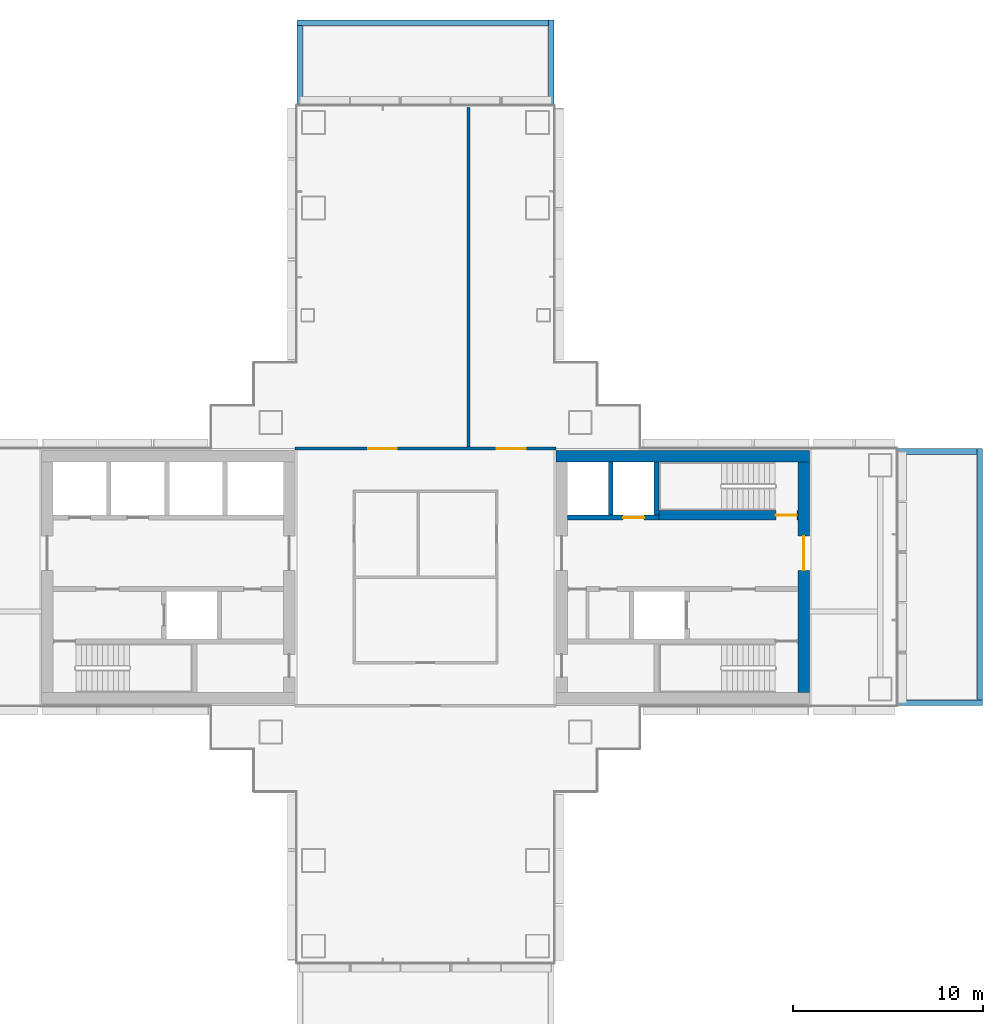
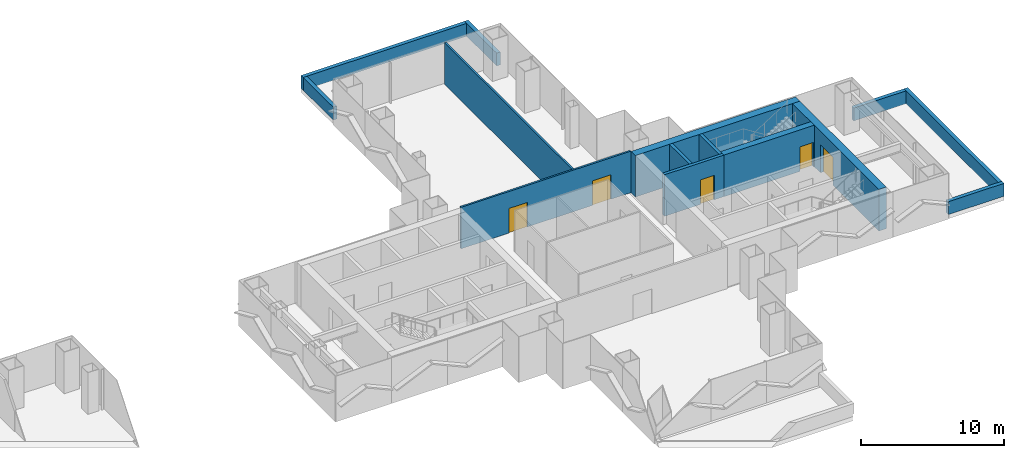
# One storey, part 15 of 20: 14 walls, 5 doors, 5 openings.
"""IFC4 building model written with IfcOpenShell, lengths in metres."""

from ifc_helpers import new_model, si_unit, direction, frame, frame_2d, origin, place, context, subcontext, project, spatial, rectangle, extrude, material, layer, layer_set, type_object, element, fill, save


model = new_model("IFC4")

# Units and contexts
model_context = context("Model", 3, precision=1e-05, world=origin(), true_north=direction((0.0, 1.0)))
body_context = subcontext(model_context, "Body", "Model", "MODEL_VIEW")
ifc_project = project(units=[si_unit("LENGTHUNIT", "METRE"), si_unit("AREAUNIT", "SQUARE_METRE"), si_unit("VOLUMEUNIT", "CUBIC_METRE"), si_unit("PLANEANGLEUNIT", "RADIAN"), si_unit("MASSUNIT", "GRAM", prefix="KILO")], contexts=[model_context])

# Site, building, storey
site_placement = place(None, origin())
site = spatial("IfcSite", under=ifc_project, at=site_placement, CompositionType="ELEMENT")
building_placement = place(site_placement, origin())
building = spatial("IfcBuilding", under=site, at=building_placement, Name="Shamsa Quay Exchange Towers", CompositionType="ELEMENT")
storey_placement = place(building_placement, frame((0.0, 0.0, 81.89990234375)))
storey = spatial("IfcBuildingStorey", under=building, at=storey_placement, Name="L18", CompositionType="ELEMENT", Elevation=81.89990234375)

# Wall
ifc_material_1 = material(Name="Concrete C70/85", Category="concrete")
ifc_layer_1 = layer(ifc_material_1, 0.60009765625)
ifc_layer_set_1 = layer_set([ifc_layer_1], Name="CORE WALL 600 C70/85")
wall_type_1 = type_object("IfcWallType", Name="CORE WALL 600 C70/85", PredefinedType="SHEAR", material=ifc_layer_set_1)
wall_1_placement = place(storey_placement, frame((53.89990234375, 6.35009765625, 0.0), z_axis=(0.0, 0.0, 1.0), x_axis=(-1.0, 0.0, 0.0)))
element("IfcWall", 1, at=wall_1_placement, inside=storey, type_object=wall_type_1, Name="Core wall T2B-R08-PN", PredefinedType="SHEAR", context=body_context, shape_type="SweptSolid", body=[
    extrude(rectangle(XDim=13.2998046875, YDim=0.60009765625, at=frame_2d((6.64990234375, 0.0))), origin(), (0.0, 0.0, 1.0), 3.550048828125),
])

# Wall, opening, door
wall_2_placement = place(storey_placement, frame((53.60009765625, -6.050048828125, 0.0), z_axis=(0.0, 0.0, 1.0), x_axis=(0.0, 1.0, 0.0)))
wall_2 = element("IfcWall", 2, at=wall_2_placement, inside=storey, type_object=wall_type_1, Name="Core wall T2B-R08-PF", PredefinedType="SHEAR", context=body_context, shape_type="SweptSolid", body=[
    extrude(rectangle(XDim=12.10009765625, YDim=0.60009765625, at=frame_2d((6.050048828125, 0.0))), origin(), (0.0, 0.0, 1.0), 3.550048828125),
])
opening_1_placement = place(wall_2_placement, frame((6.39990234375, 0.0, 0.0)))
opening_1 = element("IfcOpeningElement", 3, at=opening_1_placement, cuts=wall_2, Name="Opening T2B-R08-LBD01", PredefinedType="OPENING", context=body_context, shape_type="SweptSolid", body=[
    extrude(rectangle(XDim=1.800048828125, YDim=2.39990234375, at=frame_2d((0.89990234375, 1.199951171875))), frame((0.0, 0.31005859375, 0.0), z_axis=(0.0, -1.0, 0.0), x_axis=(1.0, 0.0, 0.0)), (0.0, 0.0, 1.0), 0.6201171875),
])
ifc_material_2 = material(Name="Steel, fire rated", Category="steel")
door_type_1 = type_object("IfcDoorType", Name="LIFT LOBBY DOOR PAIR 1800", OperationType="DOUBLE_DOOR_SINGLE_SWING", PredefinedType="DOOR", material=ifc_material_2)
door_1_placement = place(opening_1_placement, origin())
door_1 = element("IfcDoor", 4, at=door_1_placement, inside=storey, type_object=door_type_1, Name="T2B-R08-LBD01", OperationType="DOUBLE_DOOR_SINGLE_SWING", OverallHeight=2.39990234375, OverallWidth=1.800048828125, PredefinedType="DOOR", context=body_context, shape_type="SweptSolid", body=[
    extrude(rectangle(XDim=1.800048828125, YDim=2.39990234375, at=frame_2d((0.89990234375, 1.199951171875))), frame((0.0, 0.02490234375, 0.0), z_axis=(0.0, -1.0, 0.0), x_axis=(1.0, 0.0, 0.0)), (0.0, 0.0, 1.0), 0.050048828125),
])
fill(opening_1, door_1)

# Wall, openings, doors
ifc_material_3 = material(Name="Gypsum board partition on metal studs")
ifc_layer_2 = layer(ifc_material_3, 0.14990234375)
ifc_layer_set_2 = layer_set([ifc_layer_2], Name="Partition 150 mm EI 60")
wall_type_2 = type_object("IfcWallType", Name="Partition 150 mm EI 60", PredefinedType="PARTITIONING", material=ifc_layer_set_2)
wall_3_placement = place(storey_placement, frame((26.89990234375, 6.75, 0.0)))
wall_3 = element("IfcWall", 5, at=wall_3_placement, inside=storey, type_object=wall_type_2, Name="Partition T2-R08-W07", PredefinedType="PARTITIONING", context=body_context, shape_type="SweptSolid", body=[
    extrude(rectangle(XDim=13.7001953125, YDim=0.14990234375, at=frame_2d((6.85009765625, 0.0))), origin(), (0.0, 0.0, 1.0), 3.550048828125),
])
opening_2_placement = place(wall_3_placement, frame((10.60009765625, 0.0, 0.0)))
opening_2 = element("IfcOpeningElement", 6, at=opening_2_placement, cuts=wall_3, Name="Opening T2-R08-D01", PredefinedType="OPENING", context=body_context, shape_type="SweptSolid", body=[
    extrude(rectangle(XDim=1.5, YDim=2.10009765625, at=frame_2d((0.75, 1.050048828125))), frame((0.0, 0.0849609375, 0.0), z_axis=(0.0, -1.0, 0.0), x_axis=(1.0, 0.0, 0.0)), (0.0, 0.0, 1.0), 0.169921875),
])
opening_3_placement = place(wall_3_placement, frame((3.85009765625, 0.0, 0.0)))
opening_3 = element("IfcOpeningElement", 7, at=opening_3_placement, cuts=wall_3, Name="Opening T2-R08-D02", PredefinedType="OPENING", context=body_context, shape_type="SweptSolid", body=[
    extrude(rectangle(XDim=1.5, YDim=2.10009765625, at=frame_2d((0.75, 1.050048828125))), frame((0.0, 0.0849609375, 0.0), z_axis=(0.0, -1.0, 0.0), x_axis=(1.0, 0.0, 0.0)), (0.0, 0.0, 1.0), 0.169921875),
])
ifc_material_4 = material(Name="Timber door leaf in a metal frame", Category="wood")
door_type_2 = type_object("IfcDoorType", Name="Door 1500x2100 FD30S pair", OperationType="NOTDEFINED", PredefinedType="DOOR", material=ifc_material_4)
door_2_placement = place(opening_2_placement, origin())
door_2 = element("IfcDoor", 8, at=door_2_placement, inside=storey, type_object=door_type_2, Name="Door T2-R08-D01", OperationType="DOUBLE_DOOR_SINGLE_SWING", OverallHeight=2.10009765625, OverallWidth=1.5, PredefinedType="DOOR", context=body_context, shape_type="SweptSolid", body=[
    extrude(rectangle(XDim=1.5, YDim=2.10009765625, at=frame_2d((0.75, 1.050048828125))), frame((0.0, 0.02490234375, 0.0), z_axis=(0.0, -1.0, 0.0), x_axis=(1.0, 0.0, 0.0)), (0.0, 0.0, 1.0), 0.050048828125),
])
fill(opening_2, door_2)
door_3_placement = place(opening_3_placement, origin())
door_3 = element("IfcDoor", 9, at=door_3_placement, inside=storey, type_object=door_type_2, Name="Door T2-R08-D02", OperationType="DOUBLE_DOOR_SINGLE_SWING", OverallHeight=2.10009765625, OverallWidth=1.5, PredefinedType="DOOR", context=body_context, shape_type="SweptSolid", body=[
    extrude(rectangle(XDim=1.5, YDim=2.10009765625, at=frame_2d((0.75, 1.050048828125))), frame((0.0, 0.02490234375, 0.0), z_axis=(0.0, -1.0, 0.0), x_axis=(1.0, 0.0, 0.0)), (0.0, 0.0, 1.0), 0.050048828125),
])
fill(opening_3, door_3)

# Walls
wall_4_placement = place(storey_placement, frame((36.0, 24.655029296875, 0.0), z_axis=(0.0, 0.0, 1.0), x_axis=(0.0, -1.0, 0.0)))
element("IfcWall", 10, at=wall_4_placement, inside=storey, type_object=wall_type_2, Name="Partition T2-R08-W11", PredefinedType="PARTITIONING", context=body_context, shape_type="SweptSolid", body=[
    extrude(rectangle(XDim=17.830078125, YDim=0.14990234375, at=frame_2d((8.9150390625, 0.0))), origin(), (0.0, 0.0, 1.0), 3.550048828125),
])
ifc_material_5 = material(Name="Reinforced concrete C30/37", Category="concrete")
ifc_layer_3 = layer(ifc_material_5, 0.300048828125)
ifc_layer_set_3 = layer_set([ifc_layer_3], Name="ROOF PARAPET 300 C30/37")
wall_type_3 = type_object("IfcWallType", Name="ROOF PARAPET 300 C30/37", PredefinedType="PARAPET", material=ifc_layer_set_3)
wall_5_placement = place(storey_placement, frame((40.35009765625, 24.75, 0.0), z_axis=(0.0, 0.0, 1.0), x_axis=(0.0, 1.0, 0.0)))
element("IfcWall", 11, at=wall_5_placement, inside=storey, type_object=wall_type_3, Name="Parapet L17 1", PredefinedType="PARAPET", context=body_context, shape_type="SweptSolid", body=[
    extrude(rectangle(XDim=4.5, YDim=0.300048828125, at=frame_2d((2.25, 0.0))), origin(), (0.0, 0.0, 1.0), 1.10009765625),
])
wall_6_placement = place(storey_placement, frame((40.199951171875, 29.10009765625, 0.0), z_axis=(0.0, 0.0, 1.0), x_axis=(-1.0, 0.0, 0.0)))
element("IfcWall", 12, at=wall_6_placement, inside=storey, type_object=wall_type_3, Name="Parapet L17 2", PredefinedType="PARAPET", context=body_context, shape_type="SweptSolid", body=[
    extrude(rectangle(XDim=13.199951171875, YDim=0.300048828125, at=frame_2d((6.60009765625, 0.0))), origin(), (0.0, 0.0, 1.0), 1.10009765625),
])
wall_7_placement = place(storey_placement, frame((27.14990234375, 28.949951171875, 0.0), z_axis=(0.0, 0.0, 1.0), x_axis=(0.0, -1.0, 0.0)))
element("IfcWall", 13, at=wall_7_placement, inside=storey, type_object=wall_type_3, Name="Parapet L17 3", PredefinedType="PARAPET", context=body_context, shape_type="SweptSolid", body=[
    extrude(rectangle(XDim=4.199951171875, YDim=0.300048828125, at=frame_2d((2.10009765625, 0.0))), origin(), (0.0, 0.0, 1.0), 1.10009765625),
])
wall_8_placement = place(storey_placement, frame((58.5, -6.60009765625, 0.0)))
element("IfcWall", 14, at=wall_8_placement, inside=storey, type_object=wall_type_3, Name="Parapet L17 1", PredefinedType="PARAPET", context=body_context, shape_type="SweptSolid", body=[
    extrude(rectangle(XDim=4.5, YDim=0.300048828125, at=frame_2d((2.25, 0.0))), origin(), (0.0, 0.0, 1.0), 1.10009765625),
])
wall_9_placement = place(storey_placement, frame((62.85009765625, -6.449951171875, 0.0), z_axis=(0.0, 0.0, 1.0), x_axis=(0.0, 1.0, 0.0)))
element("IfcWall", 15, at=wall_9_placement, inside=storey, type_object=wall_type_3, Name="Parapet L17 2", PredefinedType="PARAPET", context=body_context, shape_type="SweptSolid", body=[
    extrude(rectangle(XDim=13.199951171875, YDim=0.300048828125, at=frame_2d((6.60009765625, 0.0))), origin(), (0.0, 0.0, 1.0), 1.10009765625),
])
wall_10_placement = place(storey_placement, frame((62.699951171875, 6.60009765625, 0.0), z_axis=(0.0, 0.0, 1.0), x_axis=(-1.0, 0.0, 0.0)))
element("IfcWall", 16, at=wall_10_placement, inside=storey, type_object=wall_type_3, Name="Parapet L17 3", PredefinedType="PARAPET", context=body_context, shape_type="SweptSolid", body=[
    extrude(rectangle(XDim=4.199951171875, YDim=0.300048828125, at=frame_2d((2.10009765625, 0.0))), origin(), (0.0, 0.0, 1.0), 1.10009765625),
])

# Wall, opening, door
ifc_material_6 = material(Name="Concrete C50/60", Category="concrete")
ifc_layer_4 = layer(ifc_material_6, 0.25)
ifc_layer_set_4 = layer_set([ifc_layer_4], Name="SHAFT WALL 250 C50/60")
wall_type_4 = type_object("IfcWallType", Name="SHAFT WALL 250 C50/60", PredefinedType="SHEAR", material=ifc_layer_set_4)
wall_11_placement = place(storey_placement, frame((46.0, 3.125, 0.0), z_axis=(0.0, 0.0, 1.0), x_axis=(-1.0, 0.0, 0.0)))
wall_11 = element("IfcWall", 17, at=wall_11_placement, inside=storey, type_object=wall_type_4, Name="Shaft wall T2B-R08-N2", PredefinedType="SHEAR", context=body_context, shape_type="SweptSolid", body=[
    extrude(rectangle(XDim=4.800048828125, YDim=0.25, at=frame_2d((2.39990234375, 0.0))), origin(), (0.0, 0.0, 1.0), 3.550048828125),
])
opening_4_placement = place(wall_11_placement, frame((0.77490234375, 0.0, 0.0)))
opening_4 = element("IfcOpeningElement", 18, at=opening_4_placement, cuts=wall_11, Name="Opening T2B-R08-LD10", PredefinedType="OPENING", context=body_context, shape_type="SweptSolid", body=[
    extrude(rectangle(XDim=1.10009765625, YDim=2.10009765625, at=frame_2d((0.550048828125, 1.050048828125))), frame((0.0, 0.135009765625, 0.0), z_axis=(0.0, -1.0, 0.0), x_axis=(1.0, 0.0, 0.0)), (0.0, 0.0, 1.0), 0.27001953125),
])
door_type_3 = type_object("IfcDoorType", Name="LANDING DOOR 1100", OperationType="SLIDING_TO_LEFT", PredefinedType="DOOR", material=ifc_material_2)
door_4_placement = place(opening_4_placement, origin())
door_4 = element("IfcDoor", 19, at=door_4_placement, inside=storey, type_object=door_type_3, Name="T2B-R08-LD10", OperationType="SLIDING_TO_LEFT", OverallHeight=2.10009765625, OverallWidth=1.10009765625, PredefinedType="DOOR", context=body_context, shape_type="SweptSolid", body=[
    extrude(rectangle(XDim=1.10009765625, YDim=2.10009765625, at=frame_2d((0.550048828125, 1.050048828125))), frame((0.0, 0.02490234375, 0.0), z_axis=(0.0, -1.0, 0.0), x_axis=(1.0, 0.0, 0.0)), (0.0, 0.0, 1.0), 0.050048828125),
])
fill(opening_4, door_4)

# Walls
for number, where, z_axis, x_axis, name in (
    (20, (45.875, 3.25, 0.0), (0.0, 0.0, 1.0), (0.0, 1.0, 0.0), "Shaft wall T2B-R08-STF2"),
    (21, (43.47509765625, 3.25, 0.0), (0.0, 0.0, 1.0), (0.0, 1.0, 0.0), "Shaft wall T2B-R08-D0"),
):
    element("IfcWall", number, at=place(storey_placement, frame(where, z_axis=z_axis, x_axis=x_axis)), inside=storey, type_object=wall_type_4, Name=name, PredefinedType="SHEAR", context=body_context, shape_type="SweptSolid", body=[
        extrude(rectangle(XDim=2.800048828125, YDim=0.25, at=frame_2d((1.39990234375, 0.0))), origin(), (0.0, 0.0, 1.0), 3.550048828125),
    ])

# Wall, opening, door
ifc_layer_5 = layer(ifc_material_6, 0.5)
ifc_layer_set_5 = layer_set([ifc_layer_5], Name="SHAFT WALL 500 C50/60")
wall_type_5 = type_object("IfcWallType", Name="SHAFT WALL 500 C50/60", PredefinedType="SHEAR", material=ifc_layer_set_5)
wall_12_placement = place(storey_placement, frame((46.0, 3.25, 0.0)))
wall_12 = element("IfcWall", 22, at=wall_12_placement, inside=storey, type_object=wall_type_5, Name="Shaft wall T2B-R08-N", PredefinedType="SHEAR", context=body_context, shape_type="SweptSolid", body=[
    extrude(rectangle(XDim=7.300048828125, YDim=0.5, at=frame_2d((3.64990234375, 0.0))), origin(), (0.0, 0.0, 1.0), 3.550048828125),
])
opening_5_placement = place(wall_12_placement, frame((6.14990234375, 0.0, 0.0)))
opening_5 = element("IfcOpeningElement", 23, at=opening_5_placement, cuts=wall_12, Name="Opening T2B-R08-SD09", PredefinedType="OPENING", context=body_context, shape_type="SweptSolid", body=[
    extrude(rectangle(XDim=1.10009765625, YDim=2.10009765625, at=frame_2d((0.550048828125, 1.050048828125))), frame((0.0, 0.260009765625, 0.0), z_axis=(0.0, -1.0, 0.0), x_axis=(1.0, 0.0, 0.0)), (0.0, 0.0, 1.0), 0.52001953125),
])
door_type_4 = type_object("IfcDoorType", Name="STAIR DOOR 1100", OperationType="SINGLE_SWING_LEFT", PredefinedType="DOOR", material=ifc_material_2)
door_5_placement = place(opening_5_placement, origin())
door_5 = element("IfcDoor", 24, at=door_5_placement, inside=storey, type_object=door_type_4, Name="T2B-R08-SD09", OperationType="SINGLE_SWING_RIGHT", OverallHeight=2.10009765625, OverallWidth=1.10009765625, PredefinedType="DOOR", context=body_context, shape_type="SweptSolid", body=[
    extrude(rectangle(XDim=1.10009765625, YDim=2.10009765625, at=frame_2d((0.550048828125, 1.050048828125))), frame((0.0, 0.02490234375, 0.0), z_axis=(0.0, -1.0, 0.0), x_axis=(1.0, 0.0, 0.0)), (0.0, 0.0, 1.0), 0.050048828125),
])
fill(opening_5, door_5)

save(model, "model.ifc")
